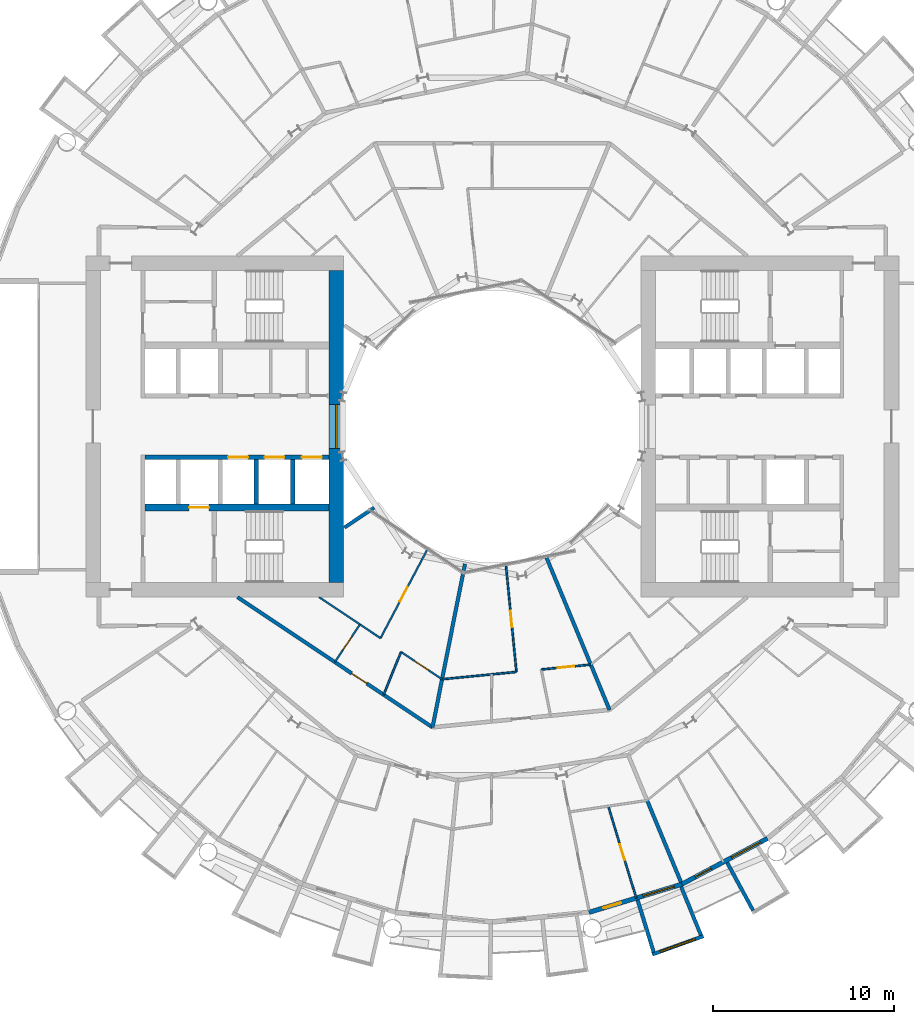
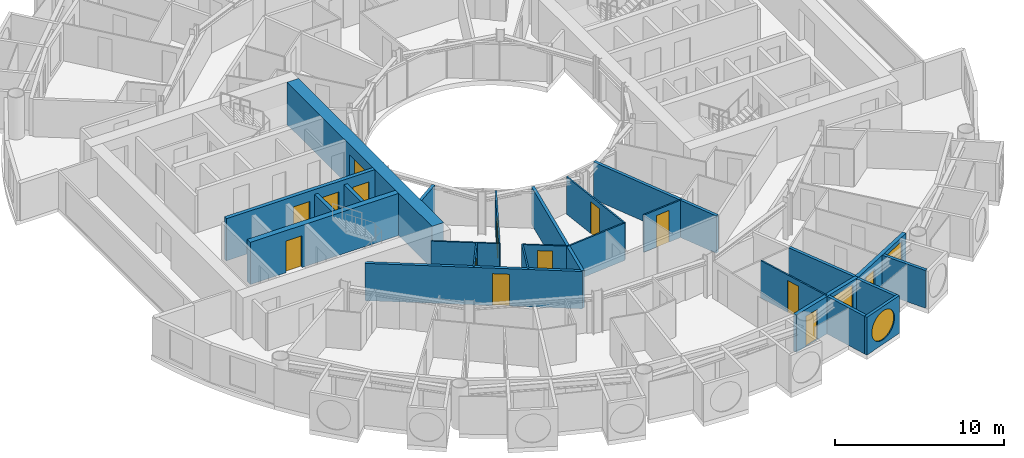
# One storey, part 15 of 26: 25 walls, 13 doors, 4 windows, 17 openings.
"""IFC4 building model written with IfcOpenShell, lengths in metres."""

import ifcopenshell
import ifcopenshell.guid

model = None  # the IFC model being written
_history = None  # IfcOwnerHistory: only IFC2X3 demands one
_inside = {}  # id of a spatial element -> (the spatial element, [elements in it])
_under = {}  # id of a project, library or spatial element -> (it, [spatial elements below it])
_declared = {}  # id of a project -> (the project, [libraries it declares])
_typed = {}  # id of a type object -> (the type object, [elements of that type])
_made_of = {}  # id of a material, layer set ... -> (it, [elements and type objects made of it])


def new_model(schema):
    """Start an empty IFC model of exactly this schema.

    Asked for "IFC4X3", IfcOpenShell would pick the latest addendum, in which some entities
    have other attributes; the version numbers below select the first issue.
    IFC2X3 requires an IfcOwnerHistory on every rooted entity: one is made here for all.
    """
    global model, _history
    if schema == "IFC4X3":
        model = ifcopenshell.file(schema_version=(4, 3, 0, 0))
    else:
        model = ifcopenshell.file(schema=schema)
    _inside.clear()
    _under.clear()
    _declared.clear()
    _typed.clear()
    _made_of.clear()
    _history = None
    if model.schema == "IFC2X3":
        org = make("IfcOrganization", Name="unknown")
        user = make(
            "IfcPersonAndOrganization",
            ThePerson=make("IfcPerson", FamilyName="unknown"),
            TheOrganization=org,
        )
        app = make(
            "IfcApplication",
            ApplicationDeveloper=org,
            Version="unknown",
            ApplicationFullName="unknown",
            ApplicationIdentifier="unknown",
        )
        _history = make(
            "IfcOwnerHistory",
            OwningUser=user,
            OwningApplication=app,
            ChangeAction="ADDED",
            CreationDate=0,
        )
    return model


def make(cls, **values):
    """One entity of the class cls with the attributes given. An attribute that is None is left unset."""
    return model.create_entity(
        cls, **{name: value for name, value in values.items() if value is not None}
    )


def rooted(cls, **values):
    """An entity with a GlobalId (a new one), such as an element, a storey or a relation."""
    return make(cls, GlobalId=ifcopenshell.guid.new(), OwnerHistory=_history, **values)


def si_unit(unit_type, name, prefix=None):
    """IfcSIUnit, for example si_unit("LENGTHUNIT", "METRE", prefix="MILLI")."""
    return make("IfcSIUnit", UnitType=unit_type, Prefix=prefix, Name=name)


def assignment(units):
    """IfcUnitAssignment: the units of a project."""
    return None if units is None else make("IfcUnitAssignment", Units=units)


def point(xyz):
    """IfcCartesianPoint."""
    return None if xyz is None else make("IfcCartesianPoint", Coordinates=xyz)


def direction(xyz):
    """IfcDirection."""
    return None if xyz is None else make("IfcDirection", DirectionRatios=xyz)


def frame(location, z_axis=None, x_axis=None):
    """IfcAxis2Placement3D, a coordinate frame: its origin and axes. An axis left out is left unset."""
    return make(
        "IfcAxis2Placement3D",
        Location=point(location),
        Axis=direction(z_axis),
        RefDirection=direction(x_axis),
    )


def frame_2d(location, x_axis=None):
    """IfcAxis2Placement2D, a coordinate frame in the plane: its origin and x axis."""
    return make(
        "IfcAxis2Placement2D", Location=point(location), RefDirection=direction(x_axis)
    )


def origin():
    """The frame at (0, 0, 0) with its axes left unset."""
    return frame((0.0, 0.0, 0.0))


def place(relative_to, where):
    """IfcLocalPlacement: puts the frame where relative to a parent placement (None: the world)."""
    return make(
        "IfcLocalPlacement", PlacementRelTo=relative_to, RelativePlacement=where
    )


def context(
    kind, dimensions, precision=None, world=None, true_north=None, identifier=None
):
    """IfcGeometricRepresentationContext, for example the 3D "Model" context."""
    return make(
        "IfcGeometricRepresentationContext",
        ContextIdentifier=identifier,
        ContextType=kind,
        CoordinateSpaceDimension=dimensions,
        Precision=precision,
        WorldCoordinateSystem=world,
        TrueNorth=true_north,
    )


def subcontext(parent, identifier, kind, view, scale=None):
    """IfcGeometricRepresentationSubContext, for example "Body" below "Model"."""
    return make(
        "IfcGeometricRepresentationSubContext",
        ContextIdentifier=identifier,
        ContextType=kind,
        ParentContext=parent,
        TargetScale=scale,
        TargetView=view,
    )


def project(units=None, contexts=None):
    """IfcProject with its units and contexts."""
    return rooted(
        "IfcProject",
        Name="project",
        RepresentationContexts=contexts,
        UnitsInContext=assignment(units),
    )


def spatial(cls, under=None, at=None, **own):
    """A site, building, storey or space (cls), placed at a placement, below another one or the project."""
    s = rooted(cls, ObjectPlacement=at, **own)
    if under is not None:
        _under.setdefault(under.id(), (under, []))[1].append(s)
    return s


def profile(cls, at=None, kind="AREA", **sizes):
    """A parametric profile (cls). Its sizes go by their IFC names, for example OverallWidth=200.0."""
    return make(cls, ProfileType=kind, Position=at, **sizes)


def rectangle(**sizes):
    """IfcRectangleProfileDef."""
    return profile("IfcRectangleProfileDef", **sizes)


def circle(**sizes):
    """IfcCircleProfileDef."""
    return profile("IfcCircleProfileDef", **sizes)


def extrude(swept, where, along, depth):
    """IfcExtrudedAreaSolid: the profile swept, set in the frame where, extruded along a direction by depth."""
    return make(
        "IfcExtrudedAreaSolid",
        SweptArea=swept,
        Position=where,
        ExtrudedDirection=direction(along),
        Depth=depth,
    )


def shape(context_of_items, identifier, shape_type, items):
    """IfcShapeRepresentation: the items that make up one representation, for example the "Body"."""
    return make(
        "IfcShapeRepresentation",
        ContextOfItems=context_of_items,
        RepresentationIdentifier=identifier,
        RepresentationType=shape_type,
        Items=items,
    )


def material(Name=None, Category=None):
    """IfcMaterial."""
    return make("IfcMaterial", Name=Name, Category=Category)


def layer(
    of_material, thickness, ventilated=None, Name=None, Category=None, Priority=None
):
    """IfcMaterialLayer: one layer of a wall or slab, of a material (None: an air gap)."""
    return make(
        "IfcMaterialLayer",
        Material=of_material,
        LayerThickness=thickness,
        IsVentilated=ventilated,
        Name=Name,
        Category=Category,
        Priority=Priority,
    )


def layer_set(layers, Name=None):
    """IfcMaterialLayerSet."""
    return make("IfcMaterialLayerSet", MaterialLayers=layers, LayerSetName=Name)


def made_of(thing, what):
    """Note that an element or type object is made of a material, layer set ...; save() writes the relation."""
    if what is not None:
        _made_of.setdefault(what.id(), (what, []))[1].append(thing)
    return thing


def type_object(cls, material=None, **own):
    """A type object (cls), such as IfcWallType, which elements share."""
    return made_of(rooted(cls, **own), material)


def element(
    cls,
    number,
    at=None,
    inside=None,
    cuts=None,
    type_object=None,
    material=None,
    context=None,
    identifier="Body",
    shape_type=None,
    held_by="IfcProductDefinitionShape",
    body=None,
    shapes=None,
    **own,
):
    """One element of the class cls, such as IfcWall. Its Tag is "e" and its number.

    at: its placement. inside: the storey or other place that contains it. cuts: it is an
    opening in that element (IfcRelVoidsElement). A single representation is given by context,
    identifier, shape_type and body (its items); several are given by shapes. held_by: the class
    of the entity that holds the representations. save() writes the other relations.
    """
    e = rooted(cls, Tag="e%d" % number, ObjectPlacement=at, **own)
    if body is not None:
        shapes = [shape(context, identifier, shape_type, body)]
    if shapes is not None:
        e.Representation = make(held_by, Representations=shapes)
    if inside is not None:
        _inside.setdefault(inside.id(), (inside, []))[1].append(e)
    if cuts is not None:
        rooted(
            "IfcRelVoidsElement", RelatingBuildingElement=cuts, RelatedOpeningElement=e
        )
    if type_object is not None:
        _typed.setdefault(type_object.id(), (type_object, []))[1].append(e)
    return made_of(e, material)


def fill(opening, filler):
    """IfcRelFillsElement: the door or window that sits in an opening."""
    return rooted(
        "IfcRelFillsElement",
        RelatingOpeningElement=opening,
        RelatedBuildingElement=filler,
    )


def aggregate(whole, parts):
    """IfcRelAggregates: a whole, such as a stair, and the parts it consists of."""
    return rooted("IfcRelAggregates", RelatingObject=whole, RelatedObjects=parts)


def save(model, path):
    """Write the relations noted so far, then the file.

    IfcRelAggregates (storeys below a building ...), IfcRelContainedInSpatialStructure (elements
    in a storey), IfcRelDefinesByType, IfcRelAssociatesMaterial and IfcRelDeclares: one each for
    every whole, place, type object, material and project.
    """
    for whole, parts in _under.values():
        aggregate(whole, parts)
    for where, things in _inside.values():
        rooted(
            "IfcRelContainedInSpatialStructure",
            RelatedElements=things,
            RelatingStructure=where,
        )
    for kind, things in _typed.values():
        rooted("IfcRelDefinesByType", RelatedObjects=things, RelatingType=kind)
    for what, things in _made_of.values():
        rooted("IfcRelAssociatesMaterial", RelatedObjects=things, RelatingMaterial=what)
    for by, libraries in _declared.values():
        rooted("IfcRelDeclares", RelatingContext=by, RelatedDefinitions=libraries)
    model.write(path)


model = new_model("IFC4")

# Units and contexts
model_context = context("Model", 3, precision=1e-05, world=origin(), true_north=direction((0.0, 1.0)))
body_context = subcontext(model_context, "Body", "Model", "MODEL_VIEW")
ifc_project = project(units=[si_unit("LENGTHUNIT", "METRE"), si_unit("AREAUNIT", "SQUARE_METRE"), si_unit("VOLUMEUNIT", "CUBIC_METRE"), si_unit("PLANEANGLEUNIT", "RADIAN"), si_unit("MASSUNIT", "GRAM", prefix="KILO")], contexts=[model_context])

# Site, building, storey
site_placement = place(None, origin())
site = spatial("IfcSite", under=ifc_project, at=site_placement, CompositionType="ELEMENT")
building_placement = place(site_placement, origin())
building = spatial("IfcBuilding", under=site, at=building_placement, Name="Maasbend Ring Residences", CompositionType="ELEMENT")
storey_placement = place(building_placement, frame((0.0, 0.0, 38.050048828125)))
storey = spatial("IfcBuildingStorey", under=building, at=storey_placement, Name="L10", CompositionType="ELEMENT", Elevation=38.050048828125)

# Wall, openings, doors
ifc_material_1 = material(Name="Concrete C70/85", Category="concrete")
ifc_layer_1 = layer(ifc_material_1, 0.25)
ifc_layer_set_1 = layer_set([ifc_layer_1], Name="Concrete C70/85")
wall_type_1 = type_object("IfcWallType", Name="CORE WALL 250 C70/85", PredefinedType="SHEAR", material=ifc_layer_set_1)
wall_1_placement = place(storey_placement, frame((-9.0, -1.699951171875, 0.0), z_axis=(0.0, 0.0, 1.0), x_axis=(-1.0, 0.0, 0.0)))
wall_1 = element("IfcWall", 1, at=wall_1_placement, inside=storey, type_object=wall_type_1, Name="L10 core W wall SPN", PredefinedType="SHEAR", context=body_context, shape_type="SweptSolid", body=[
    extrude(rectangle(XDim=10.14990234375, YDim=0.25, at=frame_2d((5.074951171875, 0.0))), origin(), (0.0, 0.0, 1.0), 3.050048828125),
])
opening_1_placement = place(wall_1_placement, frame((0.387451171875, 0.0, 0.0)))
opening_1 = element("IfcOpeningElement", 2, at=opening_1_placement, cuts=wall_1, Name="Opening LD-W1001", PredefinedType="OPENING", context=body_context, shape_type="SweptSolid", body=[
    extrude(rectangle(XDim=1.10009765625, YDim=2.300048828125, at=frame_2d((0.550048828125, 1.14990234375))), frame((0.0, 0.135009765625, 0.0), z_axis=(0.0, -1.0, 0.0), x_axis=(1.0, 0.0, 0.0)), (0.0, 0.0, 1.0), 0.27001953125),
])
opening_2_placement = place(wall_1_placement, frame((2.449951171875, 0.0, 0.0)))
opening_2 = element("IfcOpeningElement", 3, at=opening_2_placement, cuts=wall_1, Name="Opening LD-W1002", PredefinedType="OPENING", context=body_context, shape_type="SweptSolid", body=[
    extrude(rectangle(XDim=1.10009765625, YDim=2.300048828125, at=frame_2d((0.550048828125, 1.14990234375))), frame((0.0, 0.135009765625, 0.0), z_axis=(0.0, -1.0, 0.0), x_axis=(1.0, 0.0, 0.0)), (0.0, 0.0, 1.0), 0.27001953125),
])
opening_3_placement = place(wall_1_placement, frame((4.449951171875, 0.0, 0.0)))
opening_3 = element("IfcOpeningElement", 4, at=opening_3_placement, cuts=wall_1, Name="Opening LD-W1003", PredefinedType="OPENING", context=body_context, shape_type="SweptSolid", body=[
    extrude(rectangle(XDim=1.10009765625, YDim=2.300048828125, at=frame_2d((0.550048828125, 1.14990234375))), frame((0.0, 0.135009765625, 0.0), z_axis=(0.0, -1.0, 0.0), x_axis=(1.0, 0.0, 0.0)), (0.0, 0.0, 1.0), 0.27001953125),
])
ifc_material_2 = material(Name="Stainless steel 316", Category="steel")
door_type_1 = type_object("IfcDoorType", Name="LANDING DOOR 1100 X 2300 FD60", OperationType="DOUBLE_DOOR_SLIDING", PredefinedType="DOOR", material=ifc_material_2)
door_1_placement = place(opening_1_placement, origin())
door_1 = element("IfcDoor", 5, at=door_1_placement, inside=storey, type_object=door_type_1, Name="Landing door LR-W1 L10", OperationType="DOUBLE_DOOR_SLIDING", OverallHeight=2.300048828125, OverallWidth=1.10009765625, PredefinedType="DOOR", context=body_context, shape_type="SweptSolid", body=[
    extrude(rectangle(XDim=1.10009765625, YDim=2.300048828125, at=frame_2d((0.550048828125, 1.14990234375))), frame((0.0, 0.02490234375, 0.0), z_axis=(0.0, -1.0, 0.0), x_axis=(1.0, 0.0, 0.0)), (0.0, 0.0, 1.0), 0.050048828125),
])
fill(opening_1, door_1)
door_2_placement = place(opening_2_placement, origin())
door_2 = element("IfcDoor", 6, at=door_2_placement, inside=storey, type_object=door_type_1, Name="Landing door LR-W2 L10", OperationType="DOUBLE_DOOR_SLIDING", OverallHeight=2.300048828125, OverallWidth=1.10009765625, PredefinedType="DOOR", context=body_context, shape_type="SweptSolid", body=[
    extrude(rectangle(XDim=1.10009765625, YDim=2.300048828125, at=frame_2d((0.550048828125, 1.14990234375))), frame((0.0, 0.02490234375, 0.0), z_axis=(0.0, -1.0, 0.0), x_axis=(1.0, 0.0, 0.0)), (0.0, 0.0, 1.0), 0.050048828125),
])
fill(opening_2, door_2)
door_3_placement = place(opening_3_placement, origin())
door_3 = element("IfcDoor", 7, at=door_3_placement, inside=storey, type_object=door_type_1, Name="Landing door LR-W3 L10", OperationType="DOUBLE_DOOR_SLIDING", OverallHeight=2.300048828125, OverallWidth=1.10009765625, PredefinedType="DOOR", context=body_context, shape_type="SweptSolid", body=[
    extrude(rectangle(XDim=1.10009765625, YDim=2.300048828125, at=frame_2d((0.550048828125, 1.14990234375))), frame((0.0, 0.02490234375, 0.0), z_axis=(0.0, -1.0, 0.0), x_axis=(1.0, 0.0, 0.0)), (0.0, 0.0, 1.0), 0.050048828125),
])
fill(opening_3, door_3)

# Wall, opening, door
ifc_material_3 = material(Name="Concrete C70/85", Category="concrete")
ifc_layer_2 = layer(ifc_material_3, 0.375)
ifc_layer_set_2 = layer_set([ifc_layer_2], Name="Concrete C70/85")
wall_type_2 = type_object("IfcWallType", Name="CORE WALL 375 C70/85", PredefinedType="SHEAR", material=ifc_layer_set_2)
wall_2_placement = place(storey_placement, frame((-9.0, -4.46240234375, 0.0), z_axis=(0.0, 0.0, 1.0), x_axis=(-1.0, 0.0, 0.0)))
wall_2 = element("IfcWall", 8, at=wall_2_placement, inside=storey, type_object=wall_type_2, Name="L10 core W wall BN", PredefinedType="SHEAR", context=body_context, shape_type="SweptSolid", body=[
    extrude(rectangle(XDim=10.14990234375, YDim=0.375, at=frame_2d((5.074951171875, 0.0))), origin(), (0.0, 0.0, 1.0), 3.050048828125),
])
opening_4_placement = place(wall_2_placement, frame((6.60009765625, 0.0, 0.0)))
opening_4 = element("IfcOpeningElement", 9, at=opening_4_placement, cuts=wall_2, Name="Opening LD-W1004", PredefinedType="OPENING", context=body_context, shape_type="SweptSolid", body=[
    extrude(rectangle(XDim=1.10009765625, YDim=2.300048828125, at=frame_2d((0.550048828125, 1.14990234375))), frame((0.0, 0.197509765625, 0.0), z_axis=(0.0, -1.0, 0.0), x_axis=(1.0, 0.0, 0.0)), (0.0, 0.0, 1.0), 0.39501953125),
])
door_4_placement = place(opening_4_placement, origin())
door_4 = element("IfcDoor", 10, at=door_4_placement, inside=storey, type_object=door_type_1, Name="Landing door FF-W L10", OperationType="DOUBLE_DOOR_SLIDING", OverallHeight=2.300048828125, OverallWidth=1.10009765625, PredefinedType="DOOR", context=body_context, shape_type="SweptSolid", body=[
    extrude(rectangle(XDim=1.10009765625, YDim=2.300048828125, at=frame_2d((0.550048828125, 1.14990234375))), frame((0.0, 0.02490234375, 0.0), z_axis=(0.0, -1.0, 0.0), x_axis=(1.0, 0.0, 0.0)), (0.0, 0.0, 1.0), 0.050048828125),
])
fill(opening_4, door_4)

# Wall, opening, window
ifc_material_4 = material(Name="Concrete C70/85", Category="concrete")
ifc_layer_3 = layer(ifc_material_4, 0.800048828125)
ifc_layer_set_3 = layer_set([ifc_layer_3], Name="Concrete C70/85")
wall_type_3 = type_object("IfcWallType", Name="CORE WALL 800 C70/85", PredefinedType="SHEAR", material=ifc_layer_set_3)
wall_3_placement = place(storey_placement, frame((-8.60009765625, 8.60009765625, 0.0), z_axis=(0.0, 0.0, 1.0), x_axis=(0.0, -1.0, 0.0)))
wall_3 = element("IfcWall", 11, at=wall_3_placement, inside=storey, type_object=wall_type_3, Name="L10 core W wall PIN", PredefinedType="SHEAR", context=body_context, shape_type="SweptSolid", body=[
    extrude(rectangle(XDim=17.2001953125, YDim=0.800048828125, at=frame_2d((8.60009765625, 0.0))), origin(), (0.0, 0.0, 1.0), 3.050048828125),
])
opening_5_placement = place(wall_3_placement, frame((7.39990234375, 0.0, 0.10009765625)))
opening_5 = element("IfcOpeningElement", 12, at=opening_5_placement, cuts=wall_3, Name="Opening W-W1001", PredefinedType="OPENING", context=body_context, shape_type="SweptSolid", body=[
    extrude(rectangle(XDim=2.39990234375, YDim=2.199951171875, at=frame_2d((1.199951171875, 1.10009765625))), frame((0.0, 0.41015625, 0.0), z_axis=(0.0, -1.0, 0.0), x_axis=(1.0, 0.0, 0.0)), (0.0, 0.0, 1.0), 0.820068359375),
])
ifc_material_5 = material(Name="Aluminium frame and clear glass", Category="aluminium")
window_type_1 = type_object("IfcWindowType", Name="FIXED WINDOW 2400 X 2200", PartitioningType="SINGLE_PANEL", PredefinedType="WINDOW", material=ifc_material_5)
window_1_placement = place(opening_5_placement, origin())
window_1 = element("IfcWindow", 13, at=window_1_placement, inside=storey, type_object=window_type_1, Name="Lobby window L10", OverallHeight=2.199951171875, OverallWidth=2.39990234375, PartitioningType="SINGLE_PANEL", PredefinedType="WINDOW", context=body_context, shape_type="SweptSolid", body=[
    extrude(rectangle(XDim=2.39990234375, YDim=2.199951171875, at=frame_2d((1.199951171875, 1.10009765625))), frame((0.0, 0.030029296875, 0.0), z_axis=(0.0, -1.0, 0.0), x_axis=(1.0, 0.0, 0.0)), (0.0, 0.0, 1.0), 0.06005859375),
])
fill(opening_5, window_1)

# Wall, opening, door
ifc_material_6 = material(Name="Concrete C30/37", Category="concrete")
ifc_layer_4 = layer(ifc_material_6, 0.199951171875)
ifc_layer_set_4 = layer_set([ifc_layer_4], Name="Concrete C30/37")
wall_type_4 = type_object("IfcWallType", Name="CORRIDOR WALL 200 CONCRETE", PredefinedType="PARTITIONING", material=ifc_layer_set_4)
wall_4_placement = place(storey_placement, frame((-14.035888671875, -9.402099609375, 0.0), z_axis=(0.0, 0.0, 1.0), x_axis=(0.831561346449, -0.555432918625, 0.0)))
wall_4 = element("IfcWall", 14, at=wall_4_placement, inside=storey, type_object=wall_type_4, Name="U-L10-w018", PredefinedType="PARTITIONING", context=body_context, shape_type="SweptSolid", body=[
    extrude(rectangle(XDim=12.9140625, YDim=0.199951171875, at=frame_2d((6.45703125, 0.0))), origin(), (0.0, 0.0, 1.0), 2.699951171875),
])
opening_6_placement = place(wall_4_placement, frame((7.56591796875, 0.0, 0.0)))
opening_6 = element("IfcOpeningElement", 15, at=opening_6_placement, cuts=wall_4, Name="Opening D-1053", PredefinedType="OPENING", context=body_context, shape_type="SweptSolid", body=[
    extrude(rectangle(XDim=1.0, YDim=2.300048828125, at=frame_2d((0.5, 1.14990234375))), frame((0.0, 0.10986328125, 0.0), z_axis=(0.0, -1.0, 0.0), x_axis=(1.0, 0.0, 0.0)), (0.0, 0.0, 1.0), 0.219970703125),
])
ifc_material_7 = material(Name="Timber, fire-rated, painted", Category="wood")
door_type_2 = type_object("IfcDoorType", Name="FLAT ENTRANCE DOOR 1000 X 2300 FIRE-RATED", OperationType="NOTDEFINED", PredefinedType="DOOR", material=ifc_material_7)
door_5_placement = place(opening_6_placement, origin())
door_5 = element("IfcDoor", 16, at=door_5_placement, inside=storey, type_object=door_type_2, Name="D-1053", OperationType="SINGLE_SWING_RIGHT", OverallHeight=2.300048828125, OverallWidth=1.0, PredefinedType="DOOR", context=body_context, shape_type="SweptSolid", body=[
    extrude(rectangle(XDim=1.0, YDim=2.300048828125, at=frame_2d((0.5, 1.14990234375))), frame((0.0, 0.02490234375, 0.0), z_axis=(0.0, -1.0, 0.0), x_axis=(1.0, 0.0, 0.0)), (0.0, 0.0, 1.0), 0.050048828125),
])
fill(opening_6, door_5)

# Wall, opening, window
ifc_material_8 = material(Name="Pale anodised aluminium panel", Category="aluminium")
ifc_layer_5 = layer(ifc_material_8, 0.199951171875)
ifc_layer_set_5 = layer_set([ifc_layer_5], Name="EW-BOX")
wall_type_5 = type_object("IfcWallType", Name="EW-BOX", PredefinedType="SOLIDWALL", material=ifc_layer_set_5)
wall_5_placement = place(storey_placement, frame((8.820068359375, -29.093017578125, -0.030029296875), z_axis=(0.0, 0.0, 1.0), x_axis=(0.941461077774, 0.337121697664, 0.0)))
wall_5 = element("IfcWall", 17, at=wall_5_placement, inside=storey, type_object=wall_type_5, Name="Box front S14", PredefinedType="SOLIDWALL", context=body_context, shape_type="SweptSolid", body=[
    extrude(rectangle(XDim=2.9931640625, YDim=0.199951171875, at=frame_2d((1.49658203125, 0.0))), origin(), (0.0, 0.0, 1.0), 2.72998046875),
])
opening_7_placement = place(wall_5_placement, frame((0.45654296875, 0.0, 0.330078125)))
opening_7 = element("IfcOpeningElement", 18, at=opening_7_placement, cuts=wall_5, Name="Opening W-RD", PredefinedType="OPENING", context=body_context, shape_type="SweptSolid", body=[
    extrude(circle(Radius=1.0400390625, at=frame_2d((1.0400390625, 1.0400390625))), frame((0.0, 0.10986328125, 0.0), z_axis=(0.0, -1.0, 0.0), x_axis=(1.0, 0.0, 0.0)), (0.0, 0.0, 1.0), 0.219970703125),
])
ifc_material_9 = material(Name="Aluminium and clear glass", Category="aluminium")
window_type_2 = type_object("IfcWindowType", Name="W-RD", PartitioningType="SINGLE_PANEL", PredefinedType="WINDOW", material=ifc_material_9)
window_2_placement = place(opening_7_placement, origin())
window_2 = element("IfcWindow", 19, at=window_2_placement, inside=storey, type_object=window_type_2, Name="Round window S14", OverallHeight=2.080078125, OverallWidth=2.080078125, PartitioningType="SINGLE_PANEL", PredefinedType="WINDOW", context=body_context, shape_type="SweptSolid", body=[
    extrude(circle(Radius=1.0400390625, at=frame_2d((1.0400390625, 1.0400390625))), frame((0.0, 0.030029296875, 0.0), z_axis=(0.0, -1.0, 0.0), x_axis=(1.0, 0.0, 0.0)), (0.0, 0.0, 1.0), 0.06005859375),
])
fill(opening_7, window_2)

# Walls
wall_6_placement = place(storey_placement, frame((8.009033203125, -26.092041015625, -0.030029296875), z_axis=(0.0, 0.0, 1.0), x_axis=(0.293406695073, -0.955987715029, 0.0)))
element("IfcWall", 20, at=wall_6_placement, inside=storey, type_object=wall_type_5, Name="Box side wall S14 left", PredefinedType="SOLIDWALL", context=body_context, shape_type="SweptSolid", body=[
    extrude(rectangle(XDim=3.00634765625, YDim=0.199951171875, at=frame_2d((1.503173828125, 0.0))), origin(), (0.0, 0.0, 1.0), 2.72998046875),
])
wall_7_placement = place(storey_placement, frame((10.408935546875, -25.364013671875, -0.030029296875), z_axis=(0.0, 0.0, 1.0), x_axis=(0.379509886562, -0.925187681501, 0.0)))
element("IfcWall", 21, at=wall_7_placement, inside=storey, type_object=wall_type_5, Name="Box side wall S14 right", PredefinedType="SOLIDWALL", context=body_context, shape_type="SweptSolid", body=[
    extrude(rectangle(XDim=2.882568359375, YDim=0.199951171875, at=frame_2d((1.44140625, 0.0))), origin(), (0.0, 0.0, 1.0), 2.72998046875),
])
wall_8_placement = place(storey_placement, frame((12.945068359375, -24.029052734375, -0.030029296875), z_axis=(0.0, 0.0, 1.0), x_axis=(0.474424310775, -0.88029629861, 0.0)))
element("IfcWall", 22, at=wall_8_placement, inside=storey, type_object=wall_type_5, Name="Box side wall S16 left", PredefinedType="SOLIDWALL", context=body_context, shape_type="SweptSolid", body=[
    extrude(rectangle(XDim=3.005859375, YDim=0.199951171875, at=frame_2d((1.5029296875, 0.0))), origin(), (0.0, 0.0, 1.0), 2.72998046875),
])

# Wall, openings, door, window
ifc_material_10 = material(Name="Aluminium clad insulated panel", Category="aluminium")
ifc_layer_6 = layer(ifc_material_10, 0.25)
ifc_layer_set_6 = layer_set([ifc_layer_6], Name="EW-GL")
wall_type_6 = type_object("IfcWallType", Name="EW-GL", PredefinedType="SOLIDWALL", material=ifc_layer_set_6)
wall_9_placement = place(storey_placement, frame((5.325927734375, -26.77490234375, 0.0), z_axis=(0.0, 0.0, 1.0), x_axis=(0.956965678721, 0.290201119486, 0.0)))
wall_9 = element("IfcWall", 23, at=wall_9_placement, inside=storey, type_object=wall_type_6, Name="External wall S07", PredefinedType="SOLIDWALL", context=body_context, shape_type="SweptSolid", body=[
    extrude(rectangle(XDim=5.351318359375, YDim=0.25, at=frame_2d((2.67578125, 0.0))), origin(), (0.0, 0.0, 1.0), 2.699951171875),
])
opening_8_placement = place(wall_9_placement, frame((0.841064453125, 0.0, 0.0)))
opening_8 = element("IfcOpeningElement", 24, at=opening_8_placement, cuts=wall_9, Name="Opening D-LG", PredefinedType="OPENING", context=body_context, shape_type="SweptSolid", body=[
    extrude(rectangle(XDim=1.0, YDim=2.199951171875, at=frame_2d((0.5, 1.10009765625))), frame((0.0, 0.135009765625, 0.0), z_axis=(0.0, -1.0, 0.0), x_axis=(1.0, 0.0, 0.0)), (0.0, 0.0, 1.0), 0.27001953125),
])
opening_9_placement = place(wall_9_placement, frame((3.110595703125, 0.0, 0.300048828125)))
opening_9 = element("IfcOpeningElement", 25, at=opening_9_placement, cuts=wall_9, Name="Opening W-BX", PredefinedType="OPENING", context=body_context, shape_type="SweptSolid", body=[
    extrude(rectangle(XDim=1.800048828125, YDim=2.10009765625, at=frame_2d((0.89990234375, 1.050048828125))), frame((0.0, 0.135009765625, 0.0), z_axis=(0.0, -1.0, 0.0), x_axis=(1.0, 0.0, 0.0)), (0.0, 0.0, 1.0), 0.27001953125),
])
ifc_material_11 = material(Name="Aluminium and clear glass", Category="aluminium")
door_type_3 = type_object("IfcDoorType", Name="D-LG", OperationType="SINGLE_SWING_LEFT", PredefinedType="DOOR", material=ifc_material_11)
door_6_placement = place(opening_8_placement, origin())
door_6 = element("IfcDoor", 26, at=door_6_placement, inside=storey, type_object=door_type_3, Name="Loggia door S13", OperationType="SINGLE_SWING_LEFT", OverallHeight=2.199951171875, OverallWidth=1.0, PredefinedType="DOOR", context=body_context, shape_type="SweptSolid", body=[
    extrude(rectangle(XDim=1.0, YDim=2.199951171875, at=frame_2d((0.5, 1.10009765625))), frame((0.0, 0.02490234375, 0.0), z_axis=(0.0, -1.0, 0.0), x_axis=(1.0, 0.0, 0.0)), (0.0, 0.0, 1.0), 0.050048828125),
])
fill(opening_8, door_6)
ifc_material_12 = material(Name="Aluminium and clear glass", Category="aluminium")
window_type_3 = type_object("IfcWindowType", Name="W-BX", PartitioningType="DOUBLE_PANEL_VERTICAL", PredefinedType="WINDOW", material=ifc_material_12)
window_3_placement = place(opening_9_placement, origin())
window_3 = element("IfcWindow", 27, at=window_3_placement, inside=storey, type_object=window_type_3, Name="Window S14 room to box", OverallHeight=2.10009765625, OverallWidth=1.800048828125, PartitioningType="SINGLE_PANEL", PredefinedType="WINDOW", context=body_context, shape_type="SweptSolid", body=[
    extrude(rectangle(XDim=1.800048828125, YDim=2.10009765625, at=frame_2d((0.89990234375, 1.050048828125))), frame((0.0, 0.030029296875, 0.0), z_axis=(0.0, -1.0, 0.0), x_axis=(1.0, 0.0, 0.0)), (0.0, 0.0, 1.0), 0.06005859375),
])
fill(opening_9, window_3)

wall_10_placement = place(storey_placement, frame((10.447021484375, -25.221923828125, 0.0), z_axis=(0.0, 0.0, 1.0), x_axis=(0.881915646801, 0.471407246368, 0.0)))
wall_10 = element("IfcWall", 28, at=wall_10_placement, inside=storey, type_object=wall_type_6, Name="External wall S08", PredefinedType="SOLIDWALL", context=body_context, shape_type="SweptSolid", body=[
    extrude(rectangle(XDim=5.35205078125, YDim=0.25, at=frame_2d((2.676025390625, 0.0))), origin(), (0.0, 0.0, 1.0), 2.699951171875),
])
opening_10_placement = place(wall_10_placement, frame((0.841064453125, 0.0, 0.0)))
opening_10 = element("IfcOpeningElement", 29, at=opening_10_placement, cuts=wall_10, Name="Opening D-LG", PredefinedType="OPENING", context=body_context, shape_type="SweptSolid", body=[
    extrude(rectangle(XDim=1.0, YDim=2.199951171875, at=frame_2d((0.5, 1.10009765625))), frame((0.0, 0.135009765625, 0.0), z_axis=(0.0, -1.0, 0.0), x_axis=(1.0, 0.0, 0.0)), (0.0, 0.0, 1.0), 0.27001953125),
])
opening_11_placement = place(wall_10_placement, frame((3.110595703125, 0.0, 0.300048828125)))
opening_11 = element("IfcOpeningElement", 30, at=opening_11_placement, cuts=wall_10, Name="Opening W-BX", PredefinedType="OPENING", context=body_context, shape_type="SweptSolid", body=[
    extrude(rectangle(XDim=1.800048828125, YDim=2.10009765625, at=frame_2d((0.89990234375, 1.050048828125))), frame((0.0, 0.135009765625, 0.0), z_axis=(0.0, -1.0, 0.0), x_axis=(1.0, 0.0, 0.0)), (0.0, 0.0, 1.0), 0.27001953125),
])
door_7_placement = place(opening_10_placement, origin())
door_7 = element("IfcDoor", 31, at=door_7_placement, inside=storey, type_object=door_type_3, Name="Loggia door S15", OperationType="SINGLE_SWING_LEFT", OverallHeight=2.199951171875, OverallWidth=1.0, PredefinedType="DOOR", context=body_context, shape_type="SweptSolid", body=[
    extrude(rectangle(XDim=1.0, YDim=2.199951171875, at=frame_2d((0.5, 1.10009765625))), frame((0.0, 0.02490234375, 0.0), z_axis=(0.0, -1.0, 0.0), x_axis=(1.0, 0.0, 0.0)), (0.0, 0.0, 1.0), 0.050048828125),
])
fill(opening_10, door_7)
window_4_placement = place(opening_11_placement, origin())
window_4 = element("IfcWindow", 32, at=window_4_placement, inside=storey, type_object=window_type_3, Name="Window S16 room to box", OverallHeight=2.10009765625, OverallWidth=1.800048828125, PartitioningType="SINGLE_PANEL", PredefinedType="WINDOW", context=body_context, shape_type="SweptSolid", body=[
    extrude(rectangle(XDim=1.800048828125, YDim=2.10009765625, at=frame_2d((0.89990234375, 1.050048828125))), frame((0.0, 0.030029296875, 0.0), z_axis=(0.0, -1.0, 0.0), x_axis=(1.0, 0.0, 0.0)), (0.0, 0.0, 1.0), 0.06005859375),
])
fill(opening_11, window_4)

# Wall
ifc_material_13 = material(Name="Gypsum board on steel studs", Category="steel")
ifc_layer_7 = layer(ifc_material_13, 0.10009765625)
ifc_layer_set_7 = layer_set([ifc_layer_7], Name="PARTITION 100 GYPSUM")
wall_type_7 = type_object("IfcWallType", Name="PARTITION 100 GYPSUM", PredefinedType="PARTITIONING", material=ifc_layer_set_7)
wall_11_placement = place(storey_placement, frame((-2.77197265625, -13.927001953125, 0.0), z_axis=(0.0, 0.0, 1.0), x_axis=(0.995206960104, 0.097791137432, 0.0)))
element("IfcWall", 33, at=wall_11_placement, inside=storey, type_object=wall_type_7, Name="U-L10-w019", PredefinedType="PARTITIONING", context=body_context, shape_type="SweptSolid", body=[
    extrude(rectangle(XDim=4.121826171875, YDim=0.10009765625, at=frame_2d((2.06103515625, 0.0))), origin(), (0.0, 0.0, 1.0), 2.699951171875),
])

# Wall, opening, door
wall_12_placement = place(storey_placement, frame((2.696044921875, -13.388916015625, 0.0), z_axis=(0.0, 0.0, 1.0), x_axis=(0.995215675266, 0.097702403787, 0.0)))
wall_12 = element("IfcWall", 34, at=wall_12_placement, inside=storey, type_object=wall_type_7, Name="U-L10-w020", PredefinedType="PARTITIONING", context=body_context, shape_type="SweptSolid", body=[
    extrude(rectangle(XDim=2.751220703125, YDim=0.10009765625, at=frame_2d((1.37548828125, 0.0))), origin(), (0.0, 0.0, 1.0), 2.699951171875),
])
opening_12_placement = place(wall_12_placement, frame((0.926025390625, 0.0, 0.0)))
opening_12 = element("IfcOpeningElement", 35, at=opening_12_placement, cuts=wall_12, Name="Opening D-1058", PredefinedType="OPENING", context=body_context, shape_type="SweptSolid", body=[
    extrude(rectangle(XDim=0.89990234375, YDim=2.300048828125, at=frame_2d((0.449951171875, 1.14990234375))), frame((0.0, 0.06005859375, 0.0), z_axis=(0.0, -1.0, 0.0), x_axis=(1.0, 0.0, 0.0)), (0.0, 0.0, 1.0), 0.1201171875),
])
ifc_material_14 = material(Name="Timber, painted", Category="wood")
door_type_4 = type_object("IfcDoorType", Name="INTERNAL DOOR 900 X 2300", OperationType="NOTDEFINED", PredefinedType="DOOR", material=ifc_material_14)
door_8_placement = place(opening_12_placement, origin())
door_8 = element("IfcDoor", 36, at=door_8_placement, inside=storey, type_object=door_type_4, Name="D-1058", OperationType="SINGLE_SWING_RIGHT", OverallHeight=2.300048828125, OverallWidth=0.89990234375, PredefinedType="DOOR", context=body_context, shape_type="SweptSolid", body=[
    extrude(rectangle(XDim=0.89990234375, YDim=2.300048828125, at=frame_2d((0.449951171875, 1.14990234375))), frame((0.0, 0.02490234375, 0.0), z_axis=(0.0, -1.0, 0.0), x_axis=(1.0, 0.0, 0.0)), (0.0, 0.0, 1.0), 0.050048828125),
])
fill(opening_12, door_8)

# Wall
wall_13_placement = place(storey_placement, frame((-9.544921875, -9.40087890625, 0.0), z_axis=(0.0, 0.0, 1.0), x_axis=(0.831459707426, -0.555585056429, 0.0)))
element("IfcWall", 37, at=wall_13_placement, inside=storey, type_object=wall_type_7, Name="U-L10-w023", PredefinedType="PARTITIONING", context=body_context, shape_type="SweptSolid", body=[
    extrude(rectangle(XDim=4.073486328125, YDim=0.10009765625, at=frame_2d((2.03662109375, 0.0))), origin(), (0.0, 0.0, 1.0), 2.699951171875),
])

# Wall, opening, door
wall_14_placement = place(storey_placement, frame((-5.029052734375, -12.41796875, 0.0), z_axis=(0.0, 0.0, 1.0), x_axis=(0.831538390496, -0.555467285384, 0.0)))
wall_14 = element("IfcWall", 38, at=wall_14_placement, inside=storey, type_object=wall_type_7, Name="U-L10-w024", PredefinedType="PARTITIONING", context=body_context, shape_type="SweptSolid", body=[
    extrude(rectangle(XDim=2.716796875, YDim=0.10009765625, at=frame_2d((1.3583984375, 0.0))), origin(), (0.0, 0.0, 1.0), 2.699951171875),
])
opening_13_placement = place(wall_14_placement, frame((0.907958984375, 0.0, 0.0)))
opening_13 = element("IfcOpeningElement", 39, at=opening_13_placement, cuts=wall_14, Name="Opening D-1054", PredefinedType="OPENING", context=body_context, shape_type="SweptSolid", body=[
    extrude(rectangle(XDim=0.89990234375, YDim=2.300048828125, at=frame_2d((0.449951171875, 1.14990234375))), frame((0.0, 0.06005859375, 0.0), z_axis=(0.0, -1.0, 0.0), x_axis=(1.0, 0.0, 0.0)), (0.0, 0.0, 1.0), 0.1201171875),
])
door_9_placement = place(opening_13_placement, origin())
door_9 = element("IfcDoor", 40, at=door_9_placement, inside=storey, type_object=door_type_4, Name="D-1054", OperationType="SINGLE_SWING_LEFT", OverallHeight=2.300048828125, OverallWidth=0.89990234375, PredefinedType="DOOR", context=body_context, shape_type="SweptSolid", body=[
    extrude(rectangle(XDim=0.89990234375, YDim=2.300048828125, at=frame_2d((0.449951171875, 1.14990234375))), frame((0.0, 0.02490234375, 0.0), z_axis=(0.0, -1.0, 0.0), x_axis=(1.0, 0.0, 0.0)), (0.0, 0.0, 1.0), 0.050048828125),
])
fill(opening_13, door_9)

wall_15_placement = place(storey_placement, frame((-8.674072265625, -12.98193359375, 0.0), z_axis=(0.0, 0.0, 1.0), x_axis=(0.555355163998, 0.831613276602, 0.0)))
wall_15 = element("IfcWall", 41, at=wall_15_placement, inside=storey, type_object=wall_type_7, Name="U-L10-w042", PredefinedType="PARTITIONING", context=body_context, shape_type="SweptSolid", body=[
    extrude(rectangle(XDim=2.493896484375, YDim=0.10009765625, at=frame_2d((1.2470703125, 0.0))), origin(), (0.0, 0.0, 1.0), 2.699951171875),
])
opening_14_placement = place(wall_15_placement, frame((0.797119140625, 0.0, 0.0)))
opening_14 = element("IfcOpeningElement", 42, at=opening_14_placement, cuts=wall_15, Name="Opening D-1055", PredefinedType="OPENING", context=body_context, shape_type="SweptSolid", body=[
    extrude(rectangle(XDim=0.89990234375, YDim=2.300048828125, at=frame_2d((0.449951171875, 1.14990234375))), frame((0.0, 0.06005859375, 0.0), z_axis=(0.0, -1.0, 0.0), x_axis=(1.0, 0.0, 0.0)), (0.0, 0.0, 1.0), 0.1201171875),
])
door_10_placement = place(opening_14_placement, origin())
door_10 = element("IfcDoor", 43, at=door_10_placement, inside=storey, type_object=door_type_4, Name="D-1055", OperationType="SINGLE_SWING_RIGHT", OverallHeight=2.300048828125, OverallWidth=0.89990234375, PredefinedType="DOOR", context=body_context, shape_type="SweptSolid", body=[
    extrude(rectangle(XDim=0.89990234375, YDim=2.300048828125, at=frame_2d((0.449951171875, 1.14990234375))), frame((0.0, 0.02490234375, 0.0), z_axis=(0.0, -1.0, 0.0), x_axis=(1.0, 0.0, 0.0)), (0.0, 0.0, 1.0), 0.050048828125),
])
fill(opening_14, door_10)

wall_16_placement = place(storey_placement, frame((-6.158935546875, -11.6630859375, 0.0), z_axis=(0.0, 0.0, 1.0), x_axis=(0.466976820365, 0.884269556889, 0.0)))
wall_16 = element("IfcWall", 44, at=wall_16_placement, inside=storey, type_object=wall_type_7, Name="U-L10-w048", PredefinedType="PARTITIONING", context=body_context, shape_type="SweptSolid", body=[
    extrude(rectangle(XDim=5.46923828125, YDim=0.10009765625, at=frame_2d((2.734619140625, 0.0))), origin(), (0.0, 0.0, 1.0), 2.699951171875),
])
opening_15_placement = place(wall_16_placement, frame((2.283935546875, 0.0, 0.0)))
opening_15 = element("IfcOpeningElement", 45, at=opening_15_placement, cuts=wall_16, Name="Opening D-1056", PredefinedType="OPENING", context=body_context, shape_type="SweptSolid", body=[
    extrude(rectangle(XDim=0.89990234375, YDim=2.300048828125, at=frame_2d((0.449951171875, 1.14990234375))), frame((0.0, 0.06005859375, 0.0), z_axis=(0.0, -1.0, 0.0), x_axis=(1.0, 0.0, 0.0)), (0.0, 0.0, 1.0), 0.1201171875),
])
door_11_placement = place(opening_15_placement, origin())
door_11 = element("IfcDoor", 46, at=door_11_placement, inside=storey, type_object=door_type_4, Name="D-1056", OperationType="SINGLE_SWING_LEFT", OverallHeight=2.300048828125, OverallWidth=0.89990234375, PredefinedType="DOOR", context=body_context, shape_type="SweptSolid", body=[
    extrude(rectangle(XDim=0.89990234375, YDim=2.300048828125, at=frame_2d((0.449951171875, 1.14990234375))), frame((0.0, 0.02490234375, 0.0), z_axis=(0.0, -1.0, 0.0), x_axis=(1.0, 0.0, 0.0)), (0.0, 0.0, 1.0), 0.050048828125),
])
fill(opening_15, door_11)

# Wall
wall_17_placement = place(storey_placement, frame((-5.986083984375, -14.779052734375, 0.0), z_axis=(0.0, 0.0, 1.0), x_axis=(0.375649498413, 0.926761811008, 0.0)))
element("IfcWall", 47, at=wall_17_placement, inside=storey, type_object=wall_type_7, Name="U-L10-w049", PredefinedType="PARTITIONING", context=body_context, shape_type="SweptSolid", body=[
    extrude(rectangle(XDim=2.547607421875, YDim=0.10009765625, at=frame_2d((1.27392578125, 0.0))), origin(), (0.0, 0.0, 1.0), 2.699951171875),
])

# Wall, opening, door
wall_18_placement = place(storey_placement, frame((0.757080078125, -7.68310546875, 0.0), z_axis=(0.0, 0.0, 1.0), x_axis=(0.097979463572, -0.995188436789, 0.0)))
wall_18 = element("IfcWall", 48, at=wall_18_placement, inside=storey, type_object=wall_type_7, Name="U-L10-w062", PredefinedType="PARTITIONING", context=body_context, shape_type="SweptSolid", body=[
    extrude(rectangle(XDim=5.8681640625, YDim=0.10009765625, at=frame_2d((2.93408203125, 0.0))), origin(), (0.0, 0.0, 1.0), 2.699951171875),
])
opening_16_placement = place(wall_18_placement, frame((2.48388671875, 0.0, 0.0)))
opening_16 = element("IfcOpeningElement", 49, at=opening_16_placement, cuts=wall_18, Name="Opening D-1060", PredefinedType="OPENING", context=body_context, shape_type="SweptSolid", body=[
    extrude(rectangle(XDim=0.89990234375, YDim=2.300048828125, at=frame_2d((0.449951171875, 1.14990234375))), frame((0.0, 0.06005859375, 0.0), z_axis=(0.0, -1.0, 0.0), x_axis=(1.0, 0.0, 0.0)), (0.0, 0.0, 1.0), 0.1201171875),
])
door_12_placement = place(opening_16_placement, origin())
door_12 = element("IfcDoor", 50, at=door_12_placement, inside=storey, type_object=door_type_4, Name="D-1060", OperationType="SINGLE_SWING_RIGHT", OverallHeight=2.300048828125, OverallWidth=0.89990234375, PredefinedType="DOOR", context=body_context, shape_type="SweptSolid", body=[
    extrude(rectangle(XDim=0.89990234375, YDim=2.300048828125, at=frame_2d((0.449951171875, 1.14990234375))), frame((0.0, 0.02490234375, 0.0), z_axis=(0.0, -1.0, 0.0), x_axis=(1.0, 0.0, 0.0)), (0.0, 0.0, 1.0), 0.050048828125),
])
fill(opening_16, door_12)

wall_19_placement = place(storey_placement, frame((6.389892578125, -20.9208984375, 0.0), z_axis=(0.0, 0.0, 1.0), x_axis=(0.292081613207, -0.956393397732, 0.0)))
wall_19 = element("IfcWall", 51, at=wall_19_placement, inside=storey, type_object=wall_type_7, Name="U-L10-w072", PredefinedType="PARTITIONING", context=body_context, shape_type="SweptSolid", body=[
    extrude(rectangle(XDim=5.30029296875, YDim=0.10009765625, at=frame_2d((2.650146484375, 0.0))), origin(), (0.0, 0.0, 1.0), 2.699951171875),
])
opening_17_placement = place(wall_19_placement, frame((2.199951171875, 0.0, 0.0)))
opening_17 = element("IfcOpeningElement", 52, at=opening_17_placement, cuts=wall_19, Name="Opening D-1046", PredefinedType="OPENING", context=body_context, shape_type="SweptSolid", body=[
    extrude(rectangle(XDim=0.89990234375, YDim=2.300048828125, at=frame_2d((0.449951171875, 1.14990234375))), frame((0.0, 0.06005859375, 0.0), z_axis=(0.0, -1.0, 0.0), x_axis=(1.0, 0.0, 0.0)), (0.0, 0.0, 1.0), 0.1201171875),
])
door_13_placement = place(opening_17_placement, origin())
door_13 = element("IfcDoor", 53, at=door_13_placement, inside=storey, type_object=door_type_4, Name="D-1046", OperationType="SINGLE_SWING_LEFT", OverallHeight=2.300048828125, OverallWidth=0.89990234375, PredefinedType="DOOR", context=body_context, shape_type="SweptSolid", body=[
    extrude(rectangle(XDim=0.89990234375, YDim=2.300048828125, at=frame_2d((0.449951171875, 1.14990234375))), frame((0.0, 0.02490234375, 0.0), z_axis=(0.0, -1.0, 0.0), x_axis=(1.0, 0.0, 0.0)), (0.0, 0.0, 1.0), 0.050048828125),
])
fill(opening_17, door_13)

# Walls
ifc_material_15 = material(Name="Concrete C30/37", Category="concrete")
ifc_layer_8 = layer(ifc_material_15, 0.199951171875)
ifc_layer_set_8 = layer_set([ifc_layer_8], Name="Concrete C30/37")
wall_type_8 = type_object("IfcWallType", Name="PARTY WALL 200 CONCRETE", PredefinedType="PARTITIONING", material=ifc_layer_set_8)
wall_20_placement = place(storey_placement, frame((-6.512939453125, -4.471923828125, 0.0), z_axis=(0.0, 0.0, 1.0), x_axis=(-0.831417956244, -0.555647533996, 0.0)))
element("IfcWall", 54, at=wall_20_placement, inside=storey, type_object=wall_type_8, Name="U-L10-w027", PredefinedType="PARTITIONING", context=body_context, shape_type="SweptSolid", body=[
    extrude(rectangle(XDim=1.9619140625, YDim=0.199951171875, at=frame_2d((0.98095703125, 0.0))), origin(), (0.0, 0.0, 1.0), 2.699951171875),
])
wall_21_placement = place(storey_placement, frame((-3.2919921875, -16.575927734375, 0.0), z_axis=(0.0, 0.0, 1.0), x_axis=(0.194683825545, 0.980866050015, 0.0)))
element("IfcWall", 55, at=wall_21_placement, inside=storey, type_object=wall_type_8, Name="U-L10-w053", PredefinedType="PARTITIONING", context=body_context, shape_type="SweptSolid", body=[
    extrude(rectangle(XDim=9.179443359375, YDim=0.199951171875, at=frame_2d((4.58984375, 0.0))), origin(), (0.0, 0.0, 1.0), 2.699951171875),
])
wall_22_placement = place(storey_placement, frame((2.950927734375, -7.133056640625, 0.0), z_axis=(0.0, 0.0, 1.0), x_axis=(0.382518543471, -0.92394781449, 0.0)))
element("IfcWall", 56, at=wall_22_placement, inside=storey, type_object=wall_type_8, Name="U-L10-w065", PredefinedType="PARTITIONING", context=body_context, shape_type="SweptSolid", body=[
    extrude(rectangle(XDim=9.18115234375, YDim=0.199951171875, at=frame_2d((4.590576171875, 0.0))), origin(), (0.0, 0.0, 1.0), 2.699951171875),
])
wall_23_placement = place(storey_placement, frame((8.533935546875, -20.60302734375, 0.0), z_axis=(0.0, 0.0, 1.0), x_axis=(0.382651153718, -0.923892902104, 0.0)))
element("IfcWall", 57, at=wall_23_placement, inside=storey, type_object=wall_type_8, Name="U-L10-w077", PredefinedType="PARTITIONING", context=body_context, shape_type="SweptSolid", body=[
    extrude(rectangle(XDim=4.873779296875, YDim=0.199951171875, at=frame_2d((2.43701171875, 0.0))), origin(), (0.0, 0.0, 1.0), 2.699951171875),
])
ifc_material_16 = material(Name="Concrete C30/37", Category="concrete")
ifc_layer_9 = layer(ifc_material_16, 0.25)
ifc_layer_set_9 = layer_set([ifc_layer_9], Name="Concrete C30/37")
wall_type_9 = type_object("IfcWallType", Name="SHAFT WALL 250 EI 120", PredefinedType="SOLIDWALL", material=ifc_layer_set_9)
for number, where, z_axis, x_axis, name in (
    (58, (-11.0, -1.824951171875, 0.0), (0.0, 0.0, 1.0), (0.0, -1.0, 0.0), "L10 core W wall D110N"),
    (59, (-13.0, -1.824951171875, 0.0), (0.0, 0.0, 1.0), (0.0, -1.0, 0.0), "L10 core W wall D130N"),
):
    element("IfcWall", number, at=place(storey_placement, frame(where, z_axis=z_axis, x_axis=x_axis)), inside=storey, type_object=wall_type_9, Name=name, PredefinedType="SOLIDWALL", context=body_context, shape_type="SweptSolid", body=[
        extrude(rectangle(XDim=2.449951171875, YDim=0.25, at=frame_2d((1.22509765625, 0.0))), origin(), (0.0, 0.0, 1.0), 2.699951171875),
    ])

save(model, "model.ifc")
